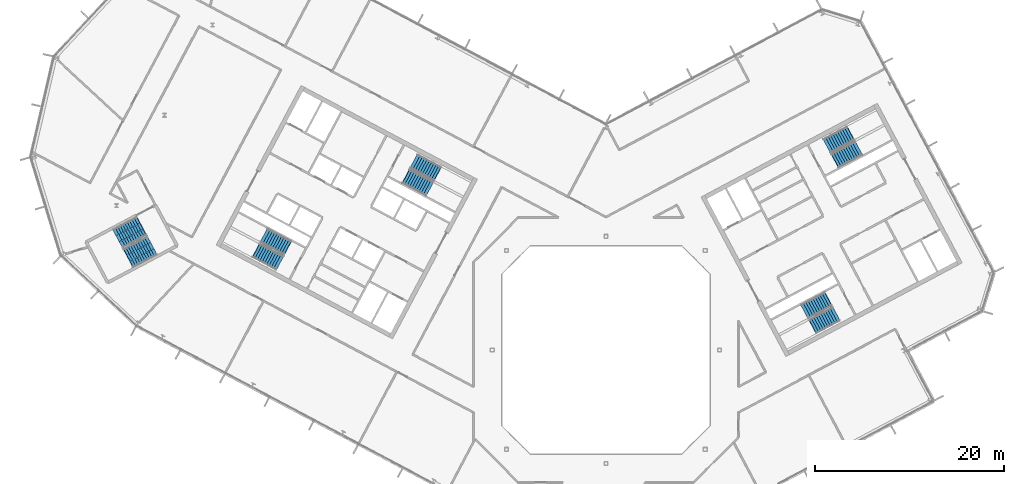
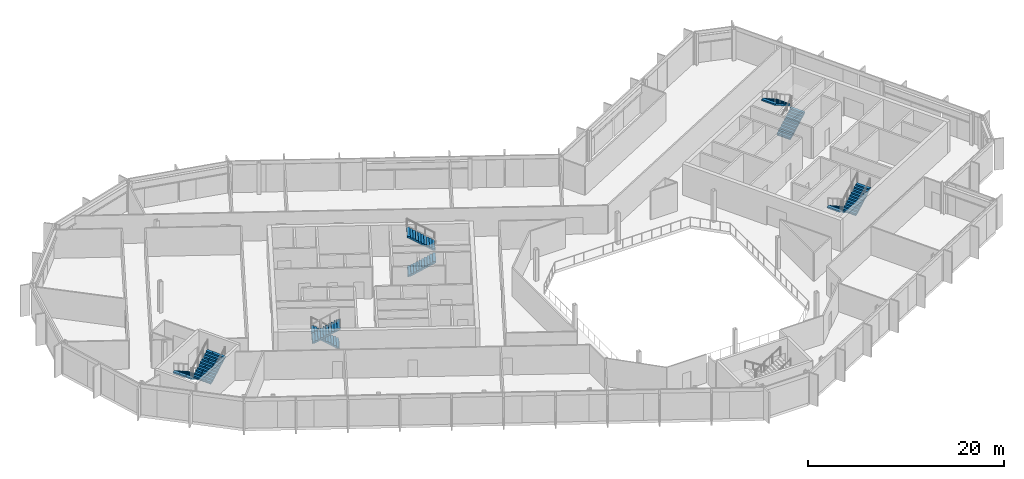
# One storey, part 18 of 26: 10 stair flights, 5 elements without a shape of their own.
"""IFC4 building model written with IfcOpenShell, lengths in metres."""

from ifc_helpers import new_model, si_unit, direction, frame, origin, place, context, subcontext, project, spatial, polyline, outline, extrude, material, type_object, element, aggregate, save


model = new_model("IFC4")

# Units and contexts
model_context = context("Model", 3, precision=1e-05, world=origin(), true_north=direction((0.0, 1.0)))
body_context = subcontext(model_context, "Body", "Model", "MODEL_VIEW")
ifc_project = project(units=[si_unit("LENGTHUNIT", "METRE"), si_unit("AREAUNIT", "SQUARE_METRE"), si_unit("VOLUMEUNIT", "CUBIC_METRE"), si_unit("PLANEANGLEUNIT", "RADIAN"), si_unit("MASSUNIT", "GRAM", prefix="KILO")], contexts=[model_context])

# Site, building, storey
site_placement = place(None, origin())
site = spatial("IfcSite", under=ifc_project, at=site_placement, CompositionType="ELEMENT")
building_placement = place(site_placement, origin())
building = spatial("IfcBuilding", under=site, at=building_placement, Name="Cormorant Relay Tower", CompositionType="ELEMENT")
storey_placement = place(building_placement, frame((0.0, 0.0, 261.89990234375)))
storey = spatial("IfcBuildingStorey", under=building, at=storey_placement, Name="L58", CompositionType="ELEMENT", Elevation=261.89990234375)

# Stair, stair flights
ifc_material_1 = material(Name="Concrete 40 MPa", Category="concrete")
stair_type_1 = type_object("IfcStairType", Name="Exit stair 1500", PredefinedType="HALF_TURN_STAIR", material=ifc_material_1)
stair_1_placement = place(storey_placement, origin())
stair_1 = element("IfcStair", 1, at=stair_1_placement, inside=storey, type_object=stair_type_1, Name="L58 Stair", PredefinedType="HALF_TURN_STAIR")
ifc_material_2 = material(Name="Concrete 40 MPa", Category="concrete")
stair_flight_type_1 = type_object("IfcStairFlightType", Name="Exit stair flight 1650", PredefinedType="STRAIGHT", material=ifc_material_2)
stair_flight_1_placement = place(storey_placement, frame((-21.114501953125, 18.33349609375, 0.0), z_axis=(0.0, 0.0, 1.0), x_axis=(0.882947592859, -0.469471562786, 0.0)))
stair_flight_1 = element("IfcStairFlight", 2, at=stair_flight_1_placement, type_object=stair_flight_type_1, Name="A1 flight 1", NumberOfRisers=11, NumberOfTreads=10, PredefinedType="STRAIGHT", RiserHeight=0.177272727, TreadLength=0.28, context=body_context, shape_type="SweptSolid", body=[
    extrude(outline(polyline([(-0.050048828125, -0.080078125), (-0.050048828125, 0.0), (0.0, 0.0), (0.0, 0.17724609375), (0.280029296875, 0.17724609375), (0.280029296875, 0.3544921875), (0.56005859375, 0.3544921875), (0.56005859375, 0.53173828125), (0.840087890625, 0.53173828125), (0.840087890625, 0.708984375), (1.1201171875, 0.708984375), (1.1201171875, 0.886474609375), (1.39990234375, 0.886474609375), (1.39990234375, 1.063720703125), (1.679931640625, 1.063720703125), (1.679931640625, 1.240966796875), (1.9599609375, 1.240966796875), (1.9599609375, 1.418212890625), (2.239990234375, 1.418212890625), (2.239990234375, 1.595458984375), (2.52001953125, 1.595458984375), (2.52001953125, 1.772705078125), (2.800048828125, 1.772705078125), (2.85009765625, 1.772705078125), (2.85009765625, 1.59521484375), (2.800048828125, 1.59521484375), (0.2802734375, 0.0), (-0.050048828125, -0.080078125)])), frame((0.0, 0.824951171875, 0.0), z_axis=(0.0, -1.0, 0.0), x_axis=(1.0, 0.0, 0.0)), (0.0, 0.0, 1.0), 1.64990234375),
])
stair_flight_2_placement = place(storey_placement, frame((-17.797119140625, 18.6083984375, 1.9501953125), z_axis=(0.0, 0.0, 1.0), x_axis=(-0.882947592859, 0.469471562786, 0.0)))
stair_flight_2 = element("IfcStairFlight", 3, at=stair_flight_2_placement, type_object=stair_flight_type_1, Name="A1 flight 2", NumberOfRisers=11, NumberOfTreads=10, PredefinedType="STRAIGHT", RiserHeight=0.177272727, TreadLength=0.28, context=body_context, shape_type="SweptSolid", body=[
    extrude(outline(polyline([(-0.050048828125, -0.080078125), (-0.050048828125, 0.0), (0.0, 0.0), (0.0, 0.17724609375), (0.280029296875, 0.17724609375), (0.280029296875, 0.3544921875), (0.56005859375, 0.3544921875), (0.56005859375, 0.53173828125), (0.840087890625, 0.53173828125), (0.840087890625, 0.708984375), (1.1201171875, 0.708984375), (1.1201171875, 0.886474609375), (1.39990234375, 0.886474609375), (1.39990234375, 1.063720703125), (1.679931640625, 1.063720703125), (1.679931640625, 1.240966796875), (1.9599609375, 1.240966796875), (1.9599609375, 1.418212890625), (2.239990234375, 1.418212890625), (2.239990234375, 1.595458984375), (2.52001953125, 1.595458984375), (2.52001953125, 1.772705078125), (2.800048828125, 1.772705078125), (2.85009765625, 1.772705078125), (2.85009765625, 1.59521484375), (2.800048828125, 1.59521484375), (0.2802734375, 0.0), (-0.050048828125, -0.080078125)])), frame((0.0, 0.824951171875, 0.0), z_axis=(0.0, -1.0, 0.0), x_axis=(1.0, 0.0, 0.0)), (0.0, 0.0, 1.0), 1.64990234375),
])
aggregate(stair_1, [stair_flight_1, stair_flight_2])

stair_2_placement = place(storey_placement, origin())
stair_2 = element("IfcStair", 4, at=stair_2_placement, inside=storey, type_object=stair_type_1, Name="L58 Stair", PredefinedType="HALF_TURN_STAIR")
stair_flight_3_placement = place(storey_placement, frame((-33.62841796875, 10.773681640625, 0.0), z_axis=(0.0, 0.0, 1.0), x_axis=(-0.882947592859, 0.469471562786, 0.0)))
stair_flight_3 = element("IfcStairFlight", 5, at=stair_flight_3_placement, type_object=stair_flight_type_1, Name="A2 flight 1", NumberOfRisers=11, NumberOfTreads=10, PredefinedType="STRAIGHT", RiserHeight=0.177272727, TreadLength=0.28, context=body_context, shape_type="SweptSolid", body=[
    extrude(outline(polyline([(-0.050048828125, -0.080078125), (-0.050048828125, 0.0), (0.0, 0.0), (0.0, 0.17724609375), (0.280029296875, 0.17724609375), (0.280029296875, 0.3544921875), (0.56005859375, 0.3544921875), (0.56005859375, 0.53173828125), (0.840087890625, 0.53173828125), (0.840087890625, 0.708984375), (1.1201171875, 0.708984375), (1.1201171875, 0.886474609375), (1.39990234375, 0.886474609375), (1.39990234375, 1.063720703125), (1.679931640625, 1.063720703125), (1.679931640625, 1.240966796875), (1.9599609375, 1.240966796875), (1.9599609375, 1.418212890625), (2.239990234375, 1.418212890625), (2.239990234375, 1.595458984375), (2.52001953125, 1.595458984375), (2.52001953125, 1.772705078125), (2.800048828125, 1.772705078125), (2.85009765625, 1.772705078125), (2.85009765625, 1.59521484375), (2.800048828125, 1.59521484375), (0.2802734375, 0.0), (-0.050048828125, -0.080078125)])), frame((0.0, 0.824951171875, 0.0), z_axis=(0.0, -1.0, 0.0), x_axis=(1.0, 0.0, 0.0)), (0.0, 0.0, 1.0), 1.64990234375),
])
stair_flight_4_placement = place(storey_placement, frame((-36.945556640625, 10.498779296875, 1.9501953125), z_axis=(0.0, 0.0, 1.0), x_axis=(0.882947592859, -0.469471562786, 0.0)))
stair_flight_4 = element("IfcStairFlight", 6, at=stair_flight_4_placement, type_object=stair_flight_type_1, Name="A2 flight 2", NumberOfRisers=11, NumberOfTreads=10, PredefinedType="STRAIGHT", RiserHeight=0.177272727, TreadLength=0.28, context=body_context, shape_type="SweptSolid", body=[
    extrude(outline(polyline([(-0.050048828125, -0.080078125), (-0.050048828125, 0.0), (0.0, 0.0), (0.0, 0.17724609375), (0.280029296875, 0.17724609375), (0.280029296875, 0.3544921875), (0.56005859375, 0.3544921875), (0.56005859375, 0.53173828125), (0.840087890625, 0.53173828125), (0.840087890625, 0.708984375), (1.1201171875, 0.708984375), (1.1201171875, 0.886474609375), (1.39990234375, 0.886474609375), (1.39990234375, 1.063720703125), (1.679931640625, 1.063720703125), (1.679931640625, 1.240966796875), (1.9599609375, 1.240966796875), (1.9599609375, 1.418212890625), (2.239990234375, 1.418212890625), (2.239990234375, 1.595458984375), (2.52001953125, 1.595458984375), (2.52001953125, 1.772705078125), (2.800048828125, 1.772705078125), (2.85009765625, 1.772705078125), (2.85009765625, 1.59521484375), (2.800048828125, 1.59521484375), (0.2802734375, 0.0), (-0.050048828125, -0.080078125)])), frame((0.0, 0.824951171875, 0.0), z_axis=(0.0, -1.0, 0.0), x_axis=(1.0, 0.0, 0.0)), (0.0, 0.0, 1.0), 1.64990234375),
])
aggregate(stair_2, [stair_flight_3, stair_flight_4])

stair_3_placement = place(storey_placement, origin())
stair_3 = element("IfcStair", 7, at=stair_3_placement, inside=storey, type_object=stair_type_1, Name="L58 Stair", PredefinedType="HALF_TURN_STAIR")
stair_flight_5_placement = place(storey_placement, frame((23.474365234375, 5.374755859375, 0.0), z_axis=(0.0, 0.0, 1.0), x_axis=(-0.882947592859, -0.469471562786, 0.0)))
stair_flight_5 = element("IfcStairFlight", 8, at=stair_flight_5_placement, type_object=stair_flight_type_1, Name="B1 flight 1", NumberOfRisers=11, NumberOfTreads=10, PredefinedType="STRAIGHT", RiserHeight=0.177272727, TreadLength=0.28, context=body_context, shape_type="SweptSolid", body=[
    extrude(outline(polyline([(-0.050048828125, -0.080078125), (-0.050048828125, 0.0), (0.0, 0.0), (0.0, 0.17724609375), (0.280029296875, 0.17724609375), (0.280029296875, 0.3544921875), (0.56005859375, 0.3544921875), (0.56005859375, 0.53173828125), (0.840087890625, 0.53173828125), (0.840087890625, 0.708984375), (1.1201171875, 0.708984375), (1.1201171875, 0.886474609375), (1.39990234375, 0.886474609375), (1.39990234375, 1.063720703125), (1.679931640625, 1.063720703125), (1.679931640625, 1.240966796875), (1.9599609375, 1.240966796875), (1.9599609375, 1.418212890625), (2.239990234375, 1.418212890625), (2.239990234375, 1.595458984375), (2.52001953125, 1.595458984375), (2.52001953125, 1.772705078125), (2.800048828125, 1.772705078125), (2.85009765625, 1.772705078125), (2.85009765625, 1.59521484375), (2.800048828125, 1.59521484375), (0.2802734375, 0.0), (-0.050048828125, -0.080078125)])), frame((0.0, 0.824951171875, 0.0), z_axis=(0.0, -1.0, 0.0), x_axis=(1.0, 0.0, 0.0)), (0.0, 0.0, 1.0), 1.64990234375),
])
stair_flight_6_placement = place(storey_placement, frame((21.84716796875, 2.470947265625, 1.9501953125), z_axis=(0.0, 0.0, 1.0), x_axis=(0.882947592859, 0.469471562786, 0.0)))
stair_flight_6 = element("IfcStairFlight", 9, at=stair_flight_6_placement, type_object=stair_flight_type_1, Name="B1 flight 2", NumberOfRisers=11, NumberOfTreads=10, PredefinedType="STRAIGHT", RiserHeight=0.177272727, TreadLength=0.28, context=body_context, shape_type="SweptSolid", body=[
    extrude(outline(polyline([(-0.050048828125, -0.080078125), (-0.050048828125, 0.0), (0.0, 0.0), (0.0, 0.17724609375), (0.280029296875, 0.17724609375), (0.280029296875, 0.3544921875), (0.56005859375, 0.3544921875), (0.56005859375, 0.53173828125), (0.840087890625, 0.53173828125), (0.840087890625, 0.708984375), (1.1201171875, 0.708984375), (1.1201171875, 0.886474609375), (1.39990234375, 0.886474609375), (1.39990234375, 1.063720703125), (1.679931640625, 1.063720703125), (1.679931640625, 1.240966796875), (1.9599609375, 1.240966796875), (1.9599609375, 1.418212890625), (2.239990234375, 1.418212890625), (2.239990234375, 1.595458984375), (2.52001953125, 1.595458984375), (2.52001953125, 1.772705078125), (2.800048828125, 1.772705078125), (2.85009765625, 1.772705078125), (2.85009765625, 1.59521484375), (2.800048828125, 1.59521484375), (0.2802734375, 0.0), (-0.050048828125, -0.080078125)])), frame((0.0, 0.824951171875, 0.0), z_axis=(0.0, -1.0, 0.0), x_axis=(1.0, 0.0, 0.0)), (0.0, 0.0, 1.0), 1.64990234375),
])
aggregate(stair_3, [stair_flight_5, stair_flight_6])

stair_4_placement = place(storey_placement, origin())
stair_4 = element("IfcStair", 10, at=stair_4_placement, inside=storey, type_object=stair_type_1, Name="L58 Stair", PredefinedType="HALF_TURN_STAIR")
stair_flight_7_placement = place(storey_placement, frame((24.20458984375, 19.976806640625, 0.0), z_axis=(0.0, 0.0, 1.0), x_axis=(0.882947592859, 0.469471562786, 0.0)))
stair_flight_7 = element("IfcStairFlight", 11, at=stair_flight_7_placement, type_object=stair_flight_type_1, Name="B2 flight 1", NumberOfRisers=11, NumberOfTreads=10, PredefinedType="STRAIGHT", RiserHeight=0.177272727, TreadLength=0.28, context=body_context, shape_type="SweptSolid", body=[
    extrude(outline(polyline([(-0.050048828125, -0.080078125), (-0.050048828125, 0.0), (0.0, 0.0), (0.0, 0.17724609375), (0.280029296875, 0.17724609375), (0.280029296875, 0.3544921875), (0.56005859375, 0.3544921875), (0.56005859375, 0.53173828125), (0.840087890625, 0.53173828125), (0.840087890625, 0.708984375), (1.1201171875, 0.708984375), (1.1201171875, 0.886474609375), (1.39990234375, 0.886474609375), (1.39990234375, 1.063720703125), (1.679931640625, 1.063720703125), (1.679931640625, 1.240966796875), (1.9599609375, 1.240966796875), (1.9599609375, 1.418212890625), (2.239990234375, 1.418212890625), (2.239990234375, 1.595458984375), (2.52001953125, 1.595458984375), (2.52001953125, 1.772705078125), (2.800048828125, 1.772705078125), (2.85009765625, 1.772705078125), (2.85009765625, 1.59521484375), (2.800048828125, 1.59521484375), (0.2802734375, 0.0), (-0.050048828125, -0.080078125)])), frame((0.0, 0.824951171875, 0.0), z_axis=(0.0, -1.0, 0.0), x_axis=(1.0, 0.0, 0.0)), (0.0, 0.0, 1.0), 1.64990234375),
])
stair_flight_8_placement = place(storey_placement, frame((25.831787109375, 22.880615234375, 1.9501953125), z_axis=(0.0, 0.0, 1.0), x_axis=(-0.882947592859, -0.469471562786, 0.0)))
stair_flight_8 = element("IfcStairFlight", 12, at=stair_flight_8_placement, type_object=stair_flight_type_1, Name="B2 flight 2", NumberOfRisers=11, NumberOfTreads=10, PredefinedType="STRAIGHT", RiserHeight=0.177272727, TreadLength=0.28, context=body_context, shape_type="SweptSolid", body=[
    extrude(outline(polyline([(-0.050048828125, -0.080078125), (-0.050048828125, 0.0), (0.0, 0.0), (0.0, 0.17724609375), (0.280029296875, 0.17724609375), (0.280029296875, 0.3544921875), (0.56005859375, 0.3544921875), (0.56005859375, 0.53173828125), (0.840087890625, 0.53173828125), (0.840087890625, 0.708984375), (1.1201171875, 0.708984375), (1.1201171875, 0.886474609375), (1.39990234375, 0.886474609375), (1.39990234375, 1.063720703125), (1.679931640625, 1.063720703125), (1.679931640625, 1.240966796875), (1.9599609375, 1.240966796875), (1.9599609375, 1.418212890625), (2.239990234375, 1.418212890625), (2.239990234375, 1.595458984375), (2.52001953125, 1.595458984375), (2.52001953125, 1.772705078125), (2.800048828125, 1.772705078125), (2.85009765625, 1.772705078125), (2.85009765625, 1.59521484375), (2.800048828125, 1.59521484375), (0.2802734375, 0.0), (-0.050048828125, -0.080078125)])), frame((0.0, 0.824951171875, 0.0), z_axis=(0.0, -1.0, 0.0), x_axis=(1.0, 0.0, 0.0)), (0.0, 0.0, 1.0), 1.64990234375),
])
aggregate(stair_4, [stair_flight_7, stair_flight_8])

ifc_material_3 = material(Name="Concrete 40 MPa", Category="concrete")
stair_type_2 = type_object("IfcStairType", Name="Remote exit stair 2200", PredefinedType="HALF_TURN_STAIR", material=ifc_material_3)
stair_5_placement = place(storey_placement, origin())
stair_5 = element("IfcStair", 13, at=stair_5_placement, inside=storey, type_object=stair_type_2, Name="L58 Stair", PredefinedType="HALF_TURN_STAIR")
ifc_material_4 = material(Name="Concrete 40 MPa", Category="concrete")
stair_flight_type_2 = type_object("IfcStairFlightType", Name="Remote exit stair flight 2200", PredefinedType="STRAIGHT", material=ifc_material_4)
stair_flight_9_placement = place(storey_placement, frame((-49.062255859375, 13.08251953125, 0.0), z_axis=(0.0, 0.0, 1.0), x_axis=(-0.882947502727, -0.4694717323, 0.0)))
stair_flight_9 = element("IfcStairFlight", 14, at=stair_flight_9_placement, type_object=stair_flight_type_2, Name="RP1 flight 1", NumberOfRisers=11, NumberOfTreads=10, PredefinedType="STRAIGHT", RiserHeight=0.177272727, TreadLength=0.28, context=body_context, shape_type="SweptSolid", body=[
    extrude(outline(polyline([(-0.050048828125, -0.080078125), (-0.050048828125, 0.0), (0.0, 0.0), (0.0, 0.17724609375), (0.280029296875, 0.17724609375), (0.280029296875, 0.3544921875), (0.56005859375, 0.3544921875), (0.56005859375, 0.53173828125), (0.840087890625, 0.53173828125), (0.840087890625, 0.708984375), (1.1201171875, 0.708984375), (1.1201171875, 0.886474609375), (1.39990234375, 0.886474609375), (1.39990234375, 1.063720703125), (1.679931640625, 1.063720703125), (1.679931640625, 1.240966796875), (1.9599609375, 1.240966796875), (1.9599609375, 1.418212890625), (2.239990234375, 1.418212890625), (2.239990234375, 1.595458984375), (2.52001953125, 1.595458984375), (2.52001953125, 1.772705078125), (2.800048828125, 1.772705078125), (2.85009765625, 1.772705078125), (2.85009765625, 1.59521484375), (2.800048828125, 1.59521484375), (0.2802734375, 0.0), (-0.050048828125, -0.080078125)])), frame((0.0, 1.10009765625, 0.0), z_axis=(0.0, -1.0, 0.0), x_axis=(1.0, 0.0, 0.0)), (0.0, 0.0, 1.0), 0.719970703125),
    extrude(outline(polyline([(-0.050048828125, -0.080078125), (-0.050048828125, 0.0), (0.0, 0.0), (0.0, 0.17724609375), (0.280029296875, 0.17724609375), (0.280029296875, 0.3544921875), (0.56005859375, 0.3544921875), (0.56005859375, 0.53173828125), (0.840087890625, 0.53173828125), (0.840087890625, 0.708984375), (1.1201171875, 0.708984375), (1.1201171875, 0.886474609375), (1.39990234375, 0.886474609375), (1.39990234375, 1.063720703125), (1.679931640625, 1.063720703125), (1.679931640625, 1.240966796875), (1.9599609375, 1.240966796875), (1.9599609375, 1.418212890625), (2.239990234375, 1.418212890625), (2.239990234375, 1.595458984375), (2.52001953125, 1.595458984375), (2.52001953125, 1.772705078125), (2.800048828125, 1.772705078125), (2.85009765625, 1.772705078125), (2.85009765625, 1.59521484375), (2.800048828125, 1.59521484375), (0.2802734375, 0.0), (-0.050048828125, -0.080078125)])), frame((0.0, 0.360107421875, 0.0), z_axis=(0.0, -1.0, 0.0), x_axis=(1.0, 0.0, 0.0)), (0.0, 0.0, 1.0), 0.719970703125),
    extrude(outline(polyline([(-0.050048828125, -0.080078125), (-0.050048828125, 0.0), (0.0, 0.0), (0.0, 0.17724609375), (0.280029296875, 0.17724609375), (0.280029296875, 0.3544921875), (0.56005859375, 0.3544921875), (0.56005859375, 0.53173828125), (0.840087890625, 0.53173828125), (0.840087890625, 0.708984375), (1.1201171875, 0.708984375), (1.1201171875, 0.886474609375), (1.39990234375, 0.886474609375), (1.39990234375, 1.063720703125), (1.679931640625, 1.063720703125), (1.679931640625, 1.240966796875), (1.9599609375, 1.240966796875), (1.9599609375, 1.418212890625), (2.239990234375, 1.418212890625), (2.239990234375, 1.595458984375), (2.52001953125, 1.595458984375), (2.52001953125, 1.772705078125), (2.800048828125, 1.772705078125), (2.85009765625, 1.772705078125), (2.85009765625, 1.59521484375), (2.800048828125, 1.59521484375), (0.2802734375, 0.0), (-0.050048828125, -0.080078125)])), frame((0.0, -0.3798828125, 0.0), z_axis=(0.0, -1.0, 0.0), x_axis=(1.0, 0.0, 0.0)), (0.0, 0.0, 1.0), 0.719970703125),
])
stair_flight_10_placement = place(storey_placement, frame((-50.431396484375, 9.693115234375, 1.9501953125), z_axis=(0.0, 0.0, 1.0), x_axis=(0.882947502727, 0.4694717323, 0.0)))
stair_flight_10 = element("IfcStairFlight", 15, at=stair_flight_10_placement, type_object=stair_flight_type_2, Name="RP1 flight 2", NumberOfRisers=11, NumberOfTreads=10, PredefinedType="STRAIGHT", RiserHeight=0.177272727, TreadLength=0.28, context=body_context, shape_type="SweptSolid", body=[
    extrude(outline(polyline([(-0.050048828125, -0.080078125), (-0.050048828125, 0.0), (0.0, 0.0), (0.0, 0.17724609375), (0.280029296875, 0.17724609375), (0.280029296875, 0.3544921875), (0.56005859375, 0.3544921875), (0.56005859375, 0.53173828125), (0.840087890625, 0.53173828125), (0.840087890625, 0.708984375), (1.1201171875, 0.708984375), (1.1201171875, 0.886474609375), (1.39990234375, 0.886474609375), (1.39990234375, 1.063720703125), (1.679931640625, 1.063720703125), (1.679931640625, 1.240966796875), (1.9599609375, 1.240966796875), (1.9599609375, 1.418212890625), (2.239990234375, 1.418212890625), (2.239990234375, 1.595458984375), (2.52001953125, 1.595458984375), (2.52001953125, 1.772705078125), (2.800048828125, 1.772705078125), (2.85009765625, 1.772705078125), (2.85009765625, 1.59521484375), (2.800048828125, 1.59521484375), (0.2802734375, 0.0), (-0.050048828125, -0.080078125)])), frame((0.0, 1.10009765625, 0.0), z_axis=(0.0, -1.0, 0.0), x_axis=(1.0, 0.0, 0.0)), (0.0, 0.0, 1.0), 0.719970703125),
    extrude(outline(polyline([(-0.050048828125, -0.080078125), (-0.050048828125, 0.0), (0.0, 0.0), (0.0, 0.17724609375), (0.280029296875, 0.17724609375), (0.280029296875, 0.3544921875), (0.56005859375, 0.3544921875), (0.56005859375, 0.53173828125), (0.840087890625, 0.53173828125), (0.840087890625, 0.708984375), (1.1201171875, 0.708984375), (1.1201171875, 0.886474609375), (1.39990234375, 0.886474609375), (1.39990234375, 1.063720703125), (1.679931640625, 1.063720703125), (1.679931640625, 1.240966796875), (1.9599609375, 1.240966796875), (1.9599609375, 1.418212890625), (2.239990234375, 1.418212890625), (2.239990234375, 1.595458984375), (2.52001953125, 1.595458984375), (2.52001953125, 1.772705078125), (2.800048828125, 1.772705078125), (2.85009765625, 1.772705078125), (2.85009765625, 1.59521484375), (2.800048828125, 1.59521484375), (0.2802734375, 0.0), (-0.050048828125, -0.080078125)])), frame((0.0, 0.360107421875, 0.0), z_axis=(0.0, -1.0, 0.0), x_axis=(1.0, 0.0, 0.0)), (0.0, 0.0, 1.0), 0.719970703125),
    extrude(outline(polyline([(-0.050048828125, -0.080078125), (-0.050048828125, 0.0), (0.0, 0.0), (0.0, 0.17724609375), (0.280029296875, 0.17724609375), (0.280029296875, 0.3544921875), (0.56005859375, 0.3544921875), (0.56005859375, 0.53173828125), (0.840087890625, 0.53173828125), (0.840087890625, 0.708984375), (1.1201171875, 0.708984375), (1.1201171875, 0.886474609375), (1.39990234375, 0.886474609375), (1.39990234375, 1.063720703125), (1.679931640625, 1.063720703125), (1.679931640625, 1.240966796875), (1.9599609375, 1.240966796875), (1.9599609375, 1.418212890625), (2.239990234375, 1.418212890625), (2.239990234375, 1.595458984375), (2.52001953125, 1.595458984375), (2.52001953125, 1.772705078125), (2.800048828125, 1.772705078125), (2.85009765625, 1.772705078125), (2.85009765625, 1.59521484375), (2.800048828125, 1.59521484375), (0.2802734375, 0.0), (-0.050048828125, -0.080078125)])), frame((0.0, -0.3798828125, 0.0), z_axis=(0.0, -1.0, 0.0), x_axis=(1.0, 0.0, 0.0)), (0.0, 0.0, 1.0), 0.719970703125),
])
aggregate(stair_5, [stair_flight_9, stair_flight_10])

save(model, "model.ifc")
